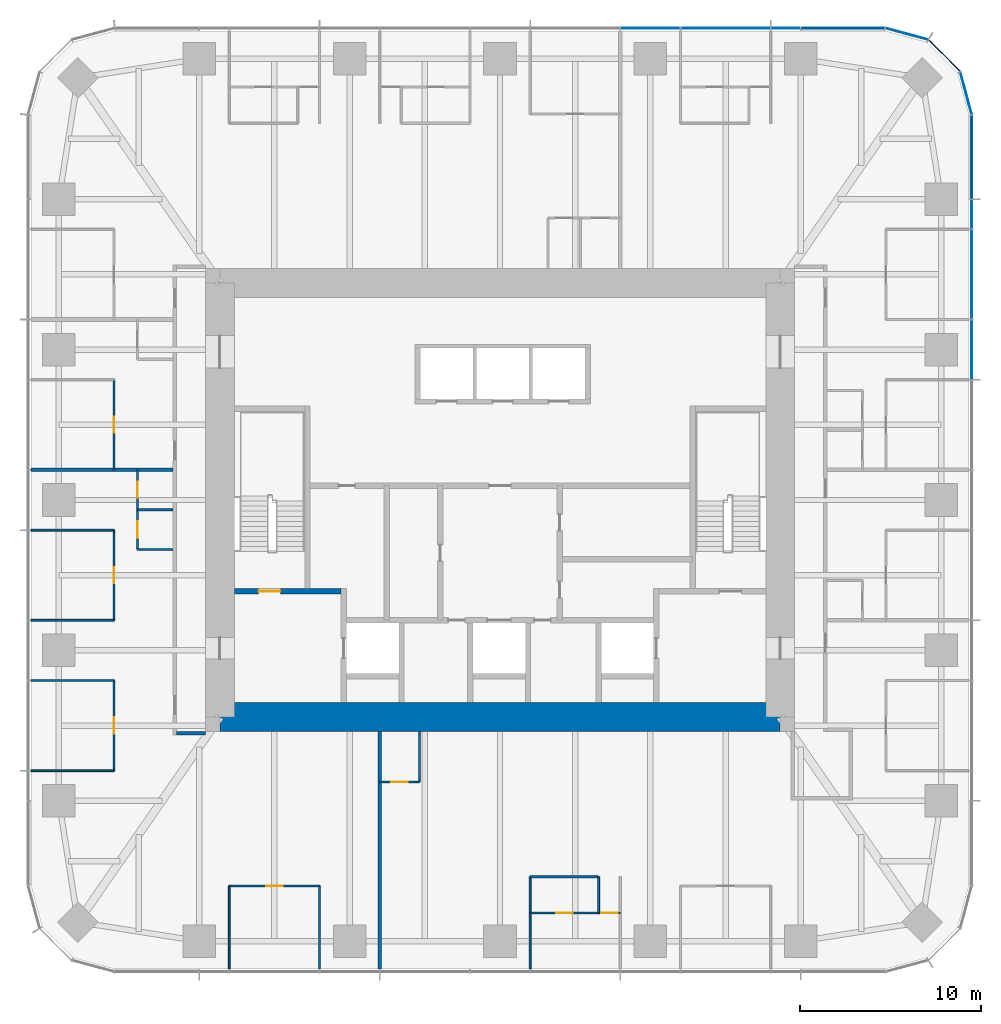
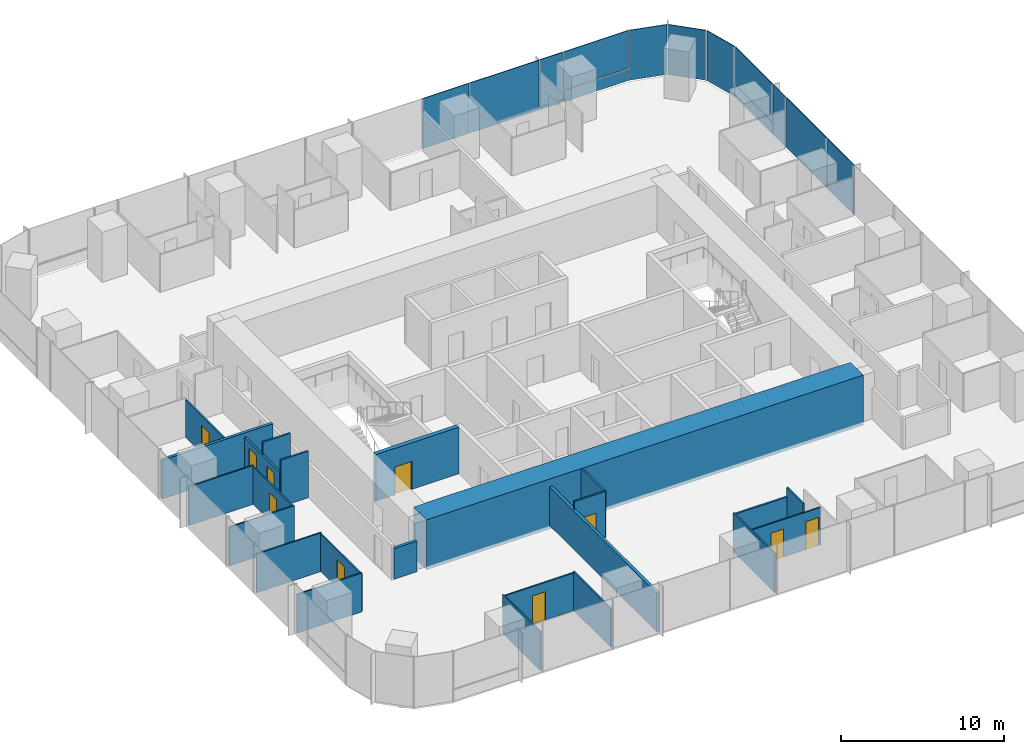
# One storey, part 8 of 12: 24 walls, 13 plates, 10 doors, 10 openings, 3 elements without a shape of their own.
"""IFC4 building model written with IfcOpenShell, lengths in metres."""

from ifc_helpers import new_model, si_unit, direction, frame, frame_2d, origin, origin_2d, place, context, subcontext, project, spatial, rectangle, extrude, material, layer, layer_set, type_object, element, fill, aggregate, save


model = new_model("IFC4")

# Units and contexts
model_context = context("Model", 3, precision=1e-05, world=origin(), true_north=direction((0.0, 1.0)))
body_context = subcontext(model_context, "Body", "Model", "MODEL_VIEW")
ifc_project = project(units=[si_unit("LENGTHUNIT", "METRE"), si_unit("AREAUNIT", "SQUARE_METRE"), si_unit("VOLUMEUNIT", "CUBIC_METRE"), si_unit("PLANEANGLEUNIT", "RADIAN"), si_unit("MASSUNIT", "GRAM", prefix="KILO")], contexts=[model_context])

# Site, building, storey
site_placement = place(None, origin())
site = spatial("IfcSite", under=ifc_project, at=site_placement, CompositionType="ELEMENT")
building_placement = place(site_placement, origin())
building = spatial("IfcBuilding", under=site, at=building_placement, Name="Khuree Lantern Residences", CompositionType="ELEMENT")
storey_placement = place(building_placement, frame((0.0, 0.0, 237.0)))
storey = spatial("IfcBuildingStorey", under=building, at=storey_placement, Name="L59", CompositionType="ELEMENT", Elevation=237.0)

# Curtain wall, plates
ifc_material_1 = material(Name="Bronze anodised aluminium", Category="aluminium")
curtain_wall_type_1 = type_object("IfcCurtainWallType", Name="CW-T2 TOWER CORNER CURTAIN WALL", PredefinedType="USERDEFINED", material=ifc_material_1)
curtain_wall_1_placement = place(storey_placement, origin())
curtain_wall_1 = element("IfcCurtainWall", 1, at=curtain_wall_1_placement, inside=storey, type_object=curtain_wall_type_1, Name="L59 NORTH-EAST CORNER CURTAIN WALL", ObjectType="Faceted corner curtain wall", PredefinedType="USERDEFINED")
ifc_material_2 = material(Name="Bronze tinted triple glazing", Category="glass")
ifc_layer_1 = layer(ifc_material_2, 0.048095703125)
ifc_layer_set_1 = layer_set([ifc_layer_1], Name="FACET PANEL P4")
plate_type_1 = type_object("IfcPlateType", Name="FACET PANEL P4", PredefinedType="CURTAIN_PANEL", material=ifc_layer_set_1)
plate_1_placement = place(storey_placement, frame((25.779052734375, 22.498046875, 0.0), z_axis=(0.0, 0.0, 1.0), x_axis=(-0.258819021888, 0.965925832509, 0.0)))
plate_1 = element("IfcPlate", 2, at=plate_1_placement, type_object=plate_type_1, Name="L59 NORTH-EAST CORNER PANEL 15.1", PredefinedType="CURTAIN_PANEL", context=body_context, shape_type="SweptSolid", body=[
    extrude(rectangle(XDim=2.40869140625, YDim=0.048095703125, at=origin_2d()), origin(), (0.0, 0.0, 1.0), 3.75),
])
plate_2_placement = place(storey_placement, frame((24.578369140625, 24.578369140625, 0.0), z_axis=(0.0, 0.0, 1.0), x_axis=(-0.707106781187, 0.707106781187, 0.0)))
plate_2 = element("IfcPlate", 3, at=plate_2_placement, type_object=plate_type_1, Name="L59 NORTH-EAST CORNER PANEL 16.1", PredefinedType="CURTAIN_PANEL", context=body_context, shape_type="SweptSolid", body=[
    extrude(rectangle(XDim=2.404541015625, YDim=0.048095703125, at=origin_2d()), origin(), (0.0, 0.0, 1.0), 3.75),
])
plate_3_placement = place(storey_placement, frame((22.498046875, 25.779052734375, 0.0), z_axis=(0.0, 0.0, 1.0), x_axis=(-0.965925832509, 0.258819021888, 0.0)))
plate_3 = element("IfcPlate", 4, at=plate_3_placement, type_object=plate_type_1, Name="L59 NORTH-EAST CORNER PANEL 17.1", PredefinedType="CURTAIN_PANEL", context=body_context, shape_type="SweptSolid", body=[
    extrude(rectangle(XDim=2.40869140625, YDim=0.048095703125, at=origin_2d()), origin(), (0.0, 0.0, 1.0), 3.75),
])
aggregate(curtain_wall_1, [plate_1, plate_2, plate_3])

# Curtain wall, plate
curtain_wall_type_2 = type_object("IfcCurtainWallType", Name="CW-T1 TOWER FACE CURTAIN WALL", PredefinedType="USERDEFINED", material=ifc_material_1)
curtain_wall_2_placement = place(storey_placement, origin())
curtain_wall_2 = element("IfcCurtainWall", 5, at=curtain_wall_2_placement, inside=storey, type_object=curtain_wall_type_2, Name="L59 EAST FACE CURTAIN WALL", ObjectType="Stick-built curtain wall", PredefinedType="USERDEFINED")
ifc_material_3 = material(Name="Bronze tinted triple glazing with a ceramic-fritted spandrel band", Category="glass")
ifc_layer_2 = layer(ifc_material_3, 0.048095703125)
ifc_layer_set_2 = layer_set([ifc_layer_2], Name="FIXED LIGHT PANEL P11")
plate_type_2 = type_object("IfcPlateType", Name="FIXED LIGHT PANEL P11", PredefinedType="CURTAIN_PANEL", material=ifc_layer_set_2)
plate_4_placement = place(storey_placement, frame((26.10009765625, 12.47998046875, 0.0), z_axis=(0.0, 0.0, 1.0), x_axis=(0.0, 1.0, 0.0)))
plate_4 = element("IfcPlate", 6, at=plate_4_placement, type_object=plate_type_2, Name="L59 EAST FACE PANEL 12.1", PredefinedType="CURTAIN_PANEL", context=body_context, shape_type="SweptSolid", body=[
    extrude(rectangle(XDim=4.927001953125, YDim=0.048095703125, at=origin_2d()), origin(), (0.0, 0.0, 1.0), 3.75),
])

curtain_wall_3_placement = place(storey_placement, origin())
curtain_wall_3 = element("IfcCurtainWall", 7, at=curtain_wall_3_placement, inside=storey, type_object=curtain_wall_type_2, Name="L59 NORTH FACE CURTAIN WALL", ObjectType="Stick-built curtain wall", PredefinedType="USERDEFINED")
plate_5_placement = place(storey_placement, frame((12.47998046875, 26.10009765625, 0.0), z_axis=(0.0, 0.0, 1.0), x_axis=(-1.0, 0.0, 0.0)))
plate_5 = element("IfcPlate", 8, at=plate_5_placement, type_object=plate_type_2, Name="L59 NORTH FACE PANEL 20.1", PredefinedType="CURTAIN_PANEL", context=body_context, shape_type="SweptSolid", body=[
    extrude(rectangle(XDim=4.927001953125, YDim=0.048095703125, at=origin_2d()), origin(), (0.0, 0.0, 1.0), 3.75),
])

# Plate
ifc_material_4 = material(Name="Bronze tinted triple glazing, two aluminium-framed sashes in one frame", Category="aluminium")
ifc_layer_3 = layer(ifc_material_4, 0.048095703125)
ifc_layer_set_3 = layer_set([ifc_layer_3], Name="SASH PAIR PANEL P12")
plate_type_3 = type_object("IfcPlateType", Name="SASH PAIR PANEL P12", PredefinedType="CURTAIN_PANEL", material=ifc_layer_set_3)
plate_6_placement = place(storey_placement, frame((26.10009765625, 8.320068359375, 0.0), z_axis=(0.0, 0.0, 1.0), x_axis=(0.0, 1.0, 0.0)))
plate_6 = element("IfcPlate", 9, at=plate_6_placement, type_object=plate_type_3, Name="L59 EAST FACE PANEL 11.1", PredefinedType="CURTAIN_PANEL", context=body_context, shape_type="SweptSolid", body=[
    extrude(rectangle(XDim=3.262939453125, YDim=0.048095703125, at=origin_2d()), origin(), (0.0, 0.0, 1.0), 3.75),
])

plate_7_placement = place(storey_placement, frame((8.320068359375, 26.10009765625, 0.0), z_axis=(0.0, 0.0, 1.0), x_axis=(-1.0, 0.0, 0.0)))
plate_7 = element("IfcPlate", 10, at=plate_7_placement, type_object=plate_type_3, Name="L59 NORTH FACE PANEL 21.1", PredefinedType="CURTAIN_PANEL", context=body_context, shape_type="SweptSolid", body=[
    extrude(rectangle(XDim=3.262939453125, YDim=0.048095703125, at=origin_2d()), origin(), (0.0, 0.0, 1.0), 3.75),
])

ifc_material_5 = material(Name="Bronze tinted triple glazing, aluminium-framed sash", Category="aluminium")
ifc_layer_4 = layer(ifc_material_5, 0.048095703125)
ifc_layer_set_4 = layer_set([ifc_layer_4], Name="SASH PANEL P3")
plate_type_4 = type_object("IfcPlateType", Name="SASH PANEL P3", PredefinedType="CURTAIN_PANEL", material=ifc_layer_set_4)
plate_8_placement = place(storey_placement, frame((26.10009765625, 15.80810546875, 0.0), z_axis=(0.0, 0.0, 1.0), x_axis=(0.0, 1.0, 0.0)))
plate_8 = element("IfcPlate", 11, at=plate_8_placement, type_object=plate_type_4, Name="L59 EAST FACE PANEL 13.1", PredefinedType="CURTAIN_PANEL", context=body_context, shape_type="SweptSolid", body=[
    extrude(rectangle(XDim=1.59912109375, YDim=0.048095703125, at=origin_2d()), origin(), (0.0, 0.0, 1.0), 3.75),
])

plate_9_placement = place(storey_placement, frame((15.80810546875, 26.10009765625, 0.0), z_axis=(0.0, 0.0, 1.0), x_axis=(-1.0, 0.0, 0.0)))
plate_9 = element("IfcPlate", 12, at=plate_9_placement, type_object=plate_type_4, Name="L59 NORTH FACE PANEL 19.1", PredefinedType="CURTAIN_PANEL", context=body_context, shape_type="SweptSolid", body=[
    extrude(rectangle(XDim=1.59912109375, YDim=0.048095703125, at=origin_2d()), origin(), (0.0, 0.0, 1.0), 3.75),
])

ifc_material_6 = material(Name="Bronze anodised aluminium insulated spandrel", Category="aluminium")
ifc_layer_5 = layer(ifc_material_6, 0.06005859375)
ifc_layer_set_5 = layer_set([ifc_layer_5], Name="SPANDREL PANEL P2")
plate_type_5 = type_object("IfcPlateType", Name="SPANDREL PANEL P2", PredefinedType="CURTAIN_PANEL", material=ifc_layer_set_5)
plate_10_placement = place(storey_placement, frame((26.10009765625, 18.9677734375, 0.0), z_axis=(0.0, 0.0, 1.0), x_axis=(0.0, 1.0, 0.0)))
plate_10 = element("IfcPlate", 13, at=plate_10_placement, type_object=plate_type_5, Name="L59 EAST FACE PANEL 14.1", PredefinedType="CURTAIN_PANEL", context=body_context, shape_type="SweptSolid", body=[
    extrude(rectangle(XDim=4.5908203125, YDim=0.06005859375, at=origin_2d()), origin(), (0.0, 0.0, 1.0), 0.867431640625),
])

plate_11_placement = place(storey_placement, frame((18.9677734375, 26.10009765625, 0.0), z_axis=(0.0, 0.0, 1.0), x_axis=(-1.0, 0.0, 0.0)))
plate_11 = element("IfcPlate", 14, at=plate_11_placement, type_object=plate_type_5, Name="L59 NORTH FACE PANEL 18.1", PredefinedType="CURTAIN_PANEL", context=body_context, shape_type="SweptSolid", body=[
    extrude(rectangle(XDim=4.5908203125, YDim=0.06005859375, at=origin_2d()), origin(), (0.0, 0.0, 1.0), 0.867431640625),
])

ifc_layer_6 = layer(ifc_material_2, 0.048095703125)
ifc_layer_set_6 = layer_set([ifc_layer_6], Name="VISION PANEL P1")
plate_type_6 = type_object("IfcPlateType", Name="VISION PANEL P1", PredefinedType="CURTAIN_PANEL", material=ifc_layer_set_6)
plate_12_placement = place(storey_placement, frame((26.10009765625, 18.96826171875, 0.9326171875), z_axis=(0.0, 0.0, 1.0), x_axis=(0.0, 1.0, 0.0)))
plate_12 = element("IfcPlate", 15, at=plate_12_placement, type_object=plate_type_6, Name="L59 EAST FACE PANEL 14.2", PredefinedType="CURTAIN_PANEL", context=body_context, shape_type="SweptSolid", body=[
    extrude(rectangle(XDim=4.591552734375, YDim=0.048095703125, at=origin_2d()), origin(), (0.0, 0.0, 1.0), 2.8173828125),
])

aggregate(curtain_wall_2, [plate_6, plate_4, plate_8, plate_10, plate_12])

plate_13_placement = place(storey_placement, frame((18.96826171875, 26.10009765625, 0.9326171875), z_axis=(0.0, 0.0, 1.0), x_axis=(-1.0, 0.0, 0.0)))
plate_13 = element("IfcPlate", 16, at=plate_13_placement, type_object=plate_type_6, Name="L59 NORTH FACE PANEL 18.2", PredefinedType="CURTAIN_PANEL", context=body_context, shape_type="SweptSolid", body=[
    extrude(rectangle(XDim=4.591552734375, YDim=0.048095703125, at=origin_2d()), origin(), (0.0, 0.0, 1.0), 2.8173828125),
])

aggregate(curtain_wall_3, [plate_11, plate_13, plate_9, plate_5, plate_7])

# Wall, openings, doors
ifc_material_7 = material(Name="Moisture-resistant gypsum board on steel studs", Category="steel")
ifc_layer_7 = layer(ifc_material_7, 0.125)
ifc_layer_set_7 = layer_set([ifc_layer_7], Name="BATHROOM WALL BTW125")
wall_type_1 = type_object("IfcWallType", Name="BATHROOM WALL BTW125", PredefinedType="PARTITIONING", material=ifc_layer_set_7)
wall_1_placement = place(storey_placement, frame((-20.050048828125, 1.6640625, 0.0), z_axis=(0.0, 0.0, 1.0), x_axis=(0.0, -1.0, 0.0)))
wall_1 = element("IfcWall", 17, at=wall_1_placement, inside=storey, type_object=wall_type_1, Name="L59 BATHROOM WALL 05", PredefinedType="PARTITIONING", context=body_context, shape_type="SweptSolid", body=[
    extrude(rectangle(XDim=4.400146484375, YDim=0.125, at=frame_2d((2.2001953125, 0.0))), origin(), (0.0, 0.0, 1.0), 2.60009765625),
])
opening_1_placement = place(wall_1_placement, frame((0.64990234375, 0.0, 0.0)))
opening_1 = element("IfcOpeningElement", 18, at=opening_1_placement, cuts=wall_1, Name="Opening 59-045", PredefinedType="OPENING", context=body_context, shape_type="SweptSolid", body=[
    extrude(rectangle(XDim=0.89990234375, YDim=2.10009765625, at=frame_2d((0.449951171875, 1.050048828125))), frame((0.0, 0.072509765625, 0.0), z_axis=(0.0, -1.0, 0.0), x_axis=(1.0, 0.0, 0.0)), (0.0, 0.0, 1.0), 0.14501953125),
])
opening_2_placement = place(wall_1_placement, frame((2.85009765625, 0.0, 0.0)))
opening_2 = element("IfcOpeningElement", 19, at=opening_2_placement, cuts=wall_1, Name="Opening 59-046", PredefinedType="OPENING", context=body_context, shape_type="SweptSolid", body=[
    extrude(rectangle(XDim=0.89990234375, YDim=2.10009765625, at=frame_2d((0.449951171875, 1.050048828125))), frame((0.0, 0.072509765625, 0.0), z_axis=(0.0, -1.0, 0.0), x_axis=(1.0, 0.0, 0.0)), (0.0, 0.0, 1.0), 0.14501953125),
])
ifc_material_8 = material(Name="Timber door leaf in hardwood frame", Category="wood")
door_type_1 = type_object("IfcDoorType", Name="BATHROOM DOOR 900X2100", OperationType="SINGLE_SWING_LEFT", PredefinedType="DOOR", material=ifc_material_8)
door_1_placement = place(opening_1_placement, origin())
door_1 = element("IfcDoor", 20, at=door_1_placement, inside=storey, type_object=door_type_1, Name="Bathroom door 59-045", OperationType="SINGLE_SWING_LEFT", OverallHeight=2.10009765625, OverallWidth=0.89990234375, PredefinedType="DOOR", context=body_context, shape_type="SweptSolid", body=[
    extrude(rectangle(XDim=0.89990234375, YDim=2.10009765625, at=frame_2d((0.449951171875, 1.050048828125))), frame((0.0, 0.02490234375, 0.0), z_axis=(0.0, -1.0, 0.0), x_axis=(1.0, 0.0, 0.0)), (0.0, 0.0, 1.0), 0.050048828125),
])
fill(opening_1, door_1)
door_2_placement = place(opening_2_placement, origin())
door_2 = element("IfcDoor", 21, at=door_2_placement, inside=storey, type_object=door_type_1, Name="Bathroom door 59-046", OperationType="SINGLE_SWING_LEFT", OverallHeight=2.10009765625, OverallWidth=0.89990234375, PredefinedType="DOOR", context=body_context, shape_type="SweptSolid", body=[
    extrude(rectangle(XDim=0.89990234375, YDim=2.10009765625, at=frame_2d((0.449951171875, 1.050048828125))), frame((0.0, 0.02490234375, 0.0), z_axis=(0.0, -1.0, 0.0), x_axis=(1.0, 0.0, 0.0)), (0.0, 0.0, 1.0), 0.050048828125),
])
fill(opening_2, door_2)

# Walls
for number, where, z_axis, x_axis, name in (
    (22, (-18.10009765625, -0.535888671875, 0.0), (0.0, 0.0, 1.0), (-1.0, 0.0, 0.0), "L59 BATHROOM WALL 05"),
    (23, (-18.10009765625, -2.736083984375, 0.0), (0.0, 0.0, 1.0), (-1.0, 0.0, 0.0), "L59 BATHROOM WALL 05"),
):
    element("IfcWall", number, at=place(storey_placement, frame(where, z_axis=z_axis, x_axis=x_axis)), inside=storey, type_object=wall_type_1, Name=name, PredefinedType="PARTITIONING", context=body_context, shape_type="SweptSolid", body=[
        extrude(rectangle(XDim=1.949951171875, YDim=0.125, at=frame_2d((0.97509765625, 0.0))), origin(), (0.0, 0.0, 1.0), 3.5),
    ])
wall_2_placement = place(storey_placement, frame((1.6640625, -20.844970703125, 0.0), z_axis=(0.0, 0.0, 1.0), x_axis=(1.0, 0.0, 0.0)))
element("IfcWall", 24, at=wall_2_placement, inside=storey, type_object=wall_type_1, Name="L59 BATHROOM WALL 06", PredefinedType="PARTITIONING", context=body_context, shape_type="SweptSolid", body=[
    extrude(rectangle(XDim=3.7919921875, YDim=0.125, at=frame_2d((1.89599609375, 0.0))), origin(), (0.0, 0.0, 1.0), 2.81005859375),
])

# Wall, opening, door
wall_3_placement = place(storey_placement, frame((-6.656005859375, -15.60009765625, 0.0), z_axis=(0.0, 0.0, 1.0), x_axis=(1.0, 0.0, 0.0)))
wall_3 = element("IfcWall", 25, at=wall_3_placement, inside=storey, type_object=wall_type_1, Name="L59 BATHROOM WALL 06", PredefinedType="PARTITIONING", context=body_context, shape_type="SweptSolid", body=[
    extrude(rectangle(XDim=2.199951171875, YDim=0.125, at=frame_2d((1.10009765625, 0.0))), origin(), (0.0, 0.0, 1.0), 3.5),
])
opening_3_placement = place(wall_3_placement, frame((0.64990234375, 0.0, 0.0)))
opening_3 = element("IfcOpeningElement", 26, at=opening_3_placement, cuts=wall_3, Name="Opening 59-052", PredefinedType="OPENING", context=body_context, shape_type="SweptSolid", body=[
    extrude(rectangle(XDim=0.89990234375, YDim=2.10009765625, at=frame_2d((0.449951171875, 1.050048828125))), frame((0.0, 0.072509765625, 0.0), z_axis=(0.0, -1.0, 0.0), x_axis=(1.0, 0.0, 0.0)), (0.0, 0.0, 1.0), 0.14501953125),
])
door_3_placement = place(opening_3_placement, origin())
door_3 = element("IfcDoor", 27, at=door_3_placement, inside=storey, type_object=door_type_1, Name="Bathroom door 59-052", OperationType="SINGLE_SWING_LEFT", OverallHeight=2.10009765625, OverallWidth=0.89990234375, PredefinedType="DOOR", context=body_context, shape_type="SweptSolid", body=[
    extrude(rectangle(XDim=0.89990234375, YDim=2.10009765625, at=frame_2d((0.449951171875, 1.050048828125))), frame((0.0, 0.02490234375, 0.0), z_axis=(0.0, -1.0, 0.0), x_axis=(1.0, 0.0, 0.0)), (0.0, 0.0, 1.0), 0.050048828125),
])
fill(opening_3, door_3)

# Walls
wall_4_placement = place(storey_placement, frame((-4.4560546875, -12.800048828125, 0.0), z_axis=(0.0, 0.0, 1.0), x_axis=(0.0, -1.0, 0.0)))
element("IfcWall", 28, at=wall_4_placement, inside=storey, type_object=wall_type_1, Name="L59 BATHROOM WALL 06", PredefinedType="PARTITIONING", context=body_context, shape_type="SweptSolid", body=[
    extrude(rectangle(XDim=2.800048828125, YDim=0.125, at=frame_2d((1.39990234375, 0.0))), origin(), (0.0, 0.0, 1.0), 3.5),
])
ifc_material_9 = material(Name="Gypsum board on steel studs", Category="steel")
ifc_layer_8 = layer(ifc_material_9, 0.199951171875)
ifc_layer_set_8 = layer_set([ifc_layer_8], Name="CORRIDOR WALL CRW200 EI 60")
wall_type_2 = type_object("IfcWallType", Name="CORRIDOR WALL CRW200 EI 60", PredefinedType="PARTITIONING", material=ifc_layer_set_8)
wall_5_placement = place(storey_placement, frame((-16.300048828125, -12.89990234375, 0.0), z_axis=(0.0, 0.0, 1.0), x_axis=(-1.0, 0.0, 0.0)))
element("IfcWall", 29, at=wall_5_placement, inside=storey, type_object=wall_type_2, Name="L59 WEST CORRIDOR SOUTH END WALL", PredefinedType="PARTITIONING", context=body_context, shape_type="SweptSolid", body=[
    extrude(rectangle(XDim=1.599853515625, YDim=0.199951171875, at=frame_2d((0.7998046875, 0.0))), origin(), (0.0, 0.0, 1.0), 2.300048828125),
])
ifc_material_10 = material(Name="Concrete C50/60", Category="concrete")
ifc_layer_9 = layer(ifc_material_10, 1.60009765625)
ifc_layer_set_9 = layer_set([ifc_layer_9], Name="CW1600-C50 CORE WALL C50 1600")
wall_type_3 = type_object("IfcWallType", Name="CW1600-C50 CORE WALL C50 1600", PredefinedType="SHEAR", material=ifc_layer_set_9)
wall_6_placement = place(storey_placement, frame((-15.5, -12.0, -0.25), z_axis=(0.0, 0.0, 1.0), x_axis=(1.0, 0.0, 0.0)))
element("IfcWall", 30, at=wall_6_placement, inside=storey, type_object=wall_type_3, Name="Core wall S", PredefinedType="SHEAR", context=body_context, shape_type="SweptSolid", body=[
    extrude(rectangle(XDim=31.0, YDim=1.60009765625, at=frame_2d((15.5, 0.0))), origin(), (0.0, 0.0, 1.0), 3.75),
])
ifc_layer_10 = layer(ifc_material_9, 0.199951171875)
ifc_layer_set_10 = layer_set([ifc_layer_10], Name="DEMISING WALL DMW200 EI 90")
wall_type_4 = type_object("IfcWallType", Name="DEMISING WALL DMW200 EI 90", PredefinedType="PARTITIONING", material=ifc_layer_set_10)
wall_7_placement = place(storey_placement, frame((-18.10009765625, 1.6640625, 0.0), z_axis=(0.0, 0.0, 1.0), x_axis=(-1.0, 0.0, 0.0)))
element("IfcWall", 31, at=wall_7_placement, inside=storey, type_object=wall_type_4, Name="L59 DEMISING WALL 05", PredefinedType="PARTITIONING", context=body_context, shape_type="SweptSolid", body=[
    extrude(rectangle(XDim=7.849853515625, YDim=0.199951171875, at=frame_2d((3.9248046875, 0.0))), origin(), (0.0, 0.0, 1.0), 2.909912109375),
])
wall_8_placement = place(storey_placement, frame((-6.656005859375, -12.800048828125, 0.0), z_axis=(0.0, 0.0, 1.0), x_axis=(0.0, -1.0, 0.0)))
element("IfcWall", 32, at=wall_8_placement, inside=storey, type_object=wall_type_4, Name="L59 DEMISING WALL 06", PredefinedType="PARTITIONING", context=body_context, shape_type="SweptSolid", body=[
    extrude(rectangle(XDim=13.14990234375, YDim=0.199951171875, at=frame_2d((6.574951171875, 0.0))), origin(), (0.0, 0.0, 1.0), 2.909912109375),
])
ifc_layer_11 = layer(ifc_material_9, 0.10009765625)
ifc_layer_set_11 = layer_set([ifc_layer_11], Name="PARTITION PT100")
wall_type_5 = type_object("IfcWallType", Name="PARTITION PT100", PredefinedType="PARTITIONING", material=ifc_layer_set_11)
for number, where, z_axis, x_axis, name in (
    (33, (-21.35009765625, -1.6640625, 0.0), (0.0, 0.0, 1.0), (-1.0, 0.0, 0.0), "L59 PARTITION 05"),
    (34, (-21.35009765625, -6.656005859375, 0.0), (0.0, 0.0, 1.0), (-1.0, 0.0, 0.0), "L59 PARTITION 05"),
    (35, (-21.35009765625, -9.98388671875, 0.0), (0.0, 0.0, 1.0), (-1.0, 0.0, 0.0), "L59 PARTITION 05"),
    (36, (-21.35009765625, -14.97607421875, 0.0), (0.0, 0.0, 1.0), (-1.0, 0.0, 0.0), "L59 PARTITION 05"),
    (37, (-14.97607421875, -21.35009765625, 0.0), (0.0, 0.0, 1.0), (0.0, -1.0, 0.0), "L59 PARTITION 05"),
    (38, (-9.98388671875, -21.35009765625, 0.0), (0.0, 0.0, 1.0), (0.0, -1.0, 0.0), "L59 PARTITION 05"),
):
    element("IfcWall", number, at=place(storey_placement, frame(where, z_axis=z_axis, x_axis=x_axis)), inside=storey, type_object=wall_type_5, Name=name, PredefinedType="PARTITIONING", context=body_context, shape_type="SweptSolid", body=[
        extrude(rectangle(XDim=4.599853515625, YDim=0.10009765625, at=frame_2d((2.2998046875, 0.0))), origin(), (0.0, 0.0, 1.0), 2.909912109375),
    ])
wall_9_placement = place(storey_placement, frame((1.6640625, -20.844970703125, 0.0), z_axis=(0.0, 0.0, 1.0), x_axis=(0.0, -1.0, 0.0)))
element("IfcWall", 39, at=wall_9_placement, inside=storey, type_object=wall_type_5, Name="L59 PARTITION 06", PredefinedType="PARTITIONING", context=body_context, shape_type="SweptSolid", body=[
    extrude(rectangle(XDim=5.10498046875, YDim=0.10009765625, at=frame_2d((2.552490234375, 0.0))), origin(), (0.0, 0.0, 1.0), 2.909912109375),
])

# Wall, opening, door
wall_10_placement = place(storey_placement, frame((-21.35009765625, 6.656005859375, 0.0), z_axis=(0.0, 0.0, 1.0), x_axis=(0.0, -1.0, 0.0)))
wall_10 = element("IfcWall", 40, at=wall_10_placement, inside=storey, type_object=wall_type_5, Name="L59 PARTITION 04", PredefinedType="PARTITIONING", context=body_context, shape_type="SweptSolid", body=[
    extrude(rectangle(XDim=4.991943359375, YDim=0.10009765625, at=frame_2d((2.49609375, 0.0))), origin(), (0.0, 0.0, 1.0), 2.81005859375),
])
opening_4_placement = place(wall_10_placement, frame((2.0458984375, 0.0, 0.0)))
opening_4 = element("IfcOpeningElement", 41, at=opening_4_placement, cuts=wall_10, Name="Opening 59-039", PredefinedType="OPENING", context=body_context, shape_type="SweptSolid", body=[
    extrude(rectangle(XDim=0.89990234375, YDim=2.10009765625, at=frame_2d((0.449951171875, 1.050048828125))), frame((0.0, 0.06005859375, 0.0), z_axis=(0.0, -1.0, 0.0), x_axis=(1.0, 0.0, 0.0)), (0.0, 0.0, 1.0), 0.1201171875),
])
door_type_2 = type_object("IfcDoorType", Name="BEDROOM DOOR 900X2100 RIGHT HAND", OperationType="SINGLE_SWING_RIGHT", PredefinedType="DOOR", material=ifc_material_8)
door_4_placement = place(opening_4_placement, origin())
door_4 = element("IfcDoor", 42, at=door_4_placement, inside=storey, type_object=door_type_2, Name="Bedroom door 59-039", OperationType="SINGLE_SWING_RIGHT", OverallHeight=2.10009765625, OverallWidth=0.89990234375, PredefinedType="DOOR", context=body_context, shape_type="SweptSolid", body=[
    extrude(rectangle(XDim=0.89990234375, YDim=2.10009765625, at=frame_2d((0.449951171875, 1.050048828125))), frame((0.0, 0.02490234375, 0.0), z_axis=(0.0, -1.0, 0.0), x_axis=(1.0, 0.0, 0.0)), (0.0, 0.0, 1.0), 0.050048828125),
])
fill(opening_4, door_4)

wall_11_placement = place(storey_placement, frame((-21.35009765625, -1.6640625, 0.0), z_axis=(0.0, 0.0, 1.0), x_axis=(0.0, -1.0, 0.0)))
wall_11 = element("IfcWall", 43, at=wall_11_placement, inside=storey, type_object=wall_type_5, Name="L59 PARTITION 05", PredefinedType="PARTITIONING", context=body_context, shape_type="SweptSolid", body=[
    extrude(rectangle(XDim=4.991943359375, YDim=0.10009765625, at=frame_2d((2.49609375, 0.0))), origin(), (0.0, 0.0, 1.0), 2.81005859375),
])
opening_5_placement = place(wall_11_placement, frame((2.0458984375, 0.0, 0.0)))
opening_5 = element("IfcOpeningElement", 44, at=opening_5_placement, cuts=wall_11, Name="Opening 59-042", PredefinedType="OPENING", context=body_context, shape_type="SweptSolid", body=[
    extrude(rectangle(XDim=0.89990234375, YDim=2.10009765625, at=frame_2d((0.449951171875, 1.050048828125))), frame((0.0, 0.06005859375, 0.0), z_axis=(0.0, -1.0, 0.0), x_axis=(1.0, 0.0, 0.0)), (0.0, 0.0, 1.0), 0.1201171875),
])
door_type_3 = type_object("IfcDoorType", Name="BEDROOM DOOR 900X2100", OperationType="SINGLE_SWING_LEFT", PredefinedType="DOOR", material=ifc_material_8)
door_5_placement = place(opening_5_placement, origin())
door_5 = element("IfcDoor", 45, at=door_5_placement, inside=storey, type_object=door_type_3, Name="Bedroom door 59-042", OperationType="SINGLE_SWING_LEFT", OverallHeight=2.10009765625, OverallWidth=0.89990234375, PredefinedType="DOOR", context=body_context, shape_type="SweptSolid", body=[
    extrude(rectangle(XDim=0.89990234375, YDim=2.10009765625, at=frame_2d((0.449951171875, 1.050048828125))), frame((0.0, 0.02490234375, 0.0), z_axis=(0.0, -1.0, 0.0), x_axis=(1.0, 0.0, 0.0)), (0.0, 0.0, 1.0), 0.050048828125),
])
fill(opening_5, door_5)

wall_12_placement = place(storey_placement, frame((-21.35009765625, -9.98388671875, 0.0), z_axis=(0.0, 0.0, 1.0), x_axis=(0.0, -1.0, 0.0)))
wall_12 = element("IfcWall", 46, at=wall_12_placement, inside=storey, type_object=wall_type_5, Name="L59 PARTITION 05", PredefinedType="PARTITIONING", context=body_context, shape_type="SweptSolid", body=[
    extrude(rectangle(XDim=4.9921875, YDim=0.10009765625, at=frame_2d((2.49609375, 0.0))), origin(), (0.0, 0.0, 1.0), 2.81005859375),
])
opening_6_placement = place(wall_12_placement, frame((2.0458984375, 0.0, 0.0)))
opening_6 = element("IfcOpeningElement", 47, at=opening_6_placement, cuts=wall_12, Name="Opening 59-043", PredefinedType="OPENING", context=body_context, shape_type="SweptSolid", body=[
    extrude(rectangle(XDim=0.89990234375, YDim=2.10009765625, at=frame_2d((0.449951171875, 1.050048828125))), frame((0.0, 0.06005859375, 0.0), z_axis=(0.0, -1.0, 0.0), x_axis=(1.0, 0.0, 0.0)), (0.0, 0.0, 1.0), 0.1201171875),
])
door_6_placement = place(opening_6_placement, origin())
door_6 = element("IfcDoor", 48, at=door_6_placement, inside=storey, type_object=door_type_3, Name="Bedroom door 59-043", OperationType="SINGLE_SWING_LEFT", OverallHeight=2.10009765625, OverallWidth=0.89990234375, PredefinedType="DOOR", context=body_context, shape_type="SweptSolid", body=[
    extrude(rectangle(XDim=0.89990234375, YDim=2.10009765625, at=frame_2d((0.449951171875, 1.050048828125))), frame((0.0, 0.02490234375, 0.0), z_axis=(0.0, -1.0, 0.0), x_axis=(1.0, 0.0, 0.0)), (0.0, 0.0, 1.0), 0.050048828125),
])
fill(opening_6, door_6)

wall_13_placement = place(storey_placement, frame((-14.97607421875, -21.35009765625, 0.0), z_axis=(0.0, 0.0, 1.0), x_axis=(1.0, 0.0, 0.0)))
wall_13 = element("IfcWall", 49, at=wall_13_placement, inside=storey, type_object=wall_type_5, Name="L59 PARTITION 05", PredefinedType="PARTITIONING", context=body_context, shape_type="SweptSolid", body=[
    extrude(rectangle(XDim=4.9921875, YDim=0.10009765625, at=frame_2d((2.49609375, 0.0))), origin(), (0.0, 0.0, 1.0), 2.81005859375),
])
opening_7_placement = place(wall_13_placement, frame((2.0458984375, 0.0, 0.0)))
opening_7 = element("IfcOpeningElement", 50, at=opening_7_placement, cuts=wall_13, Name="Opening 59-044", PredefinedType="OPENING", context=body_context, shape_type="SweptSolid", body=[
    extrude(rectangle(XDim=0.89990234375, YDim=2.10009765625, at=frame_2d((0.449951171875, 1.050048828125))), frame((0.0, 0.06005859375, 0.0), z_axis=(0.0, -1.0, 0.0), x_axis=(1.0, 0.0, 0.0)), (0.0, 0.0, 1.0), 0.1201171875),
])
door_7_placement = place(opening_7_placement, origin())
door_7 = element("IfcDoor", 51, at=door_7_placement, inside=storey, type_object=door_type_3, Name="Bedroom door 59-044", OperationType="SINGLE_SWING_LEFT", OverallHeight=2.10009765625, OverallWidth=0.89990234375, PredefinedType="DOOR", context=body_context, shape_type="SweptSolid", body=[
    extrude(rectangle(XDim=0.89990234375, YDim=2.10009765625, at=frame_2d((0.449951171875, 1.050048828125))), frame((0.0, 0.02490234375, 0.0), z_axis=(0.0, -1.0, 0.0), x_axis=(1.0, 0.0, 0.0)), (0.0, 0.0, 1.0), 0.050048828125),
])
fill(opening_7, door_7)

# Wall, openings, doors
wall_14_placement = place(storey_placement, frame((1.6640625, -22.844970703125, 0.0), z_axis=(0.0, 0.0, 1.0), x_axis=(1.0, 0.0, 0.0)))
wall_14 = element("IfcWall", 52, at=wall_14_placement, inside=storey, type_object=wall_type_5, Name="L59 PARTITION 06", PredefinedType="PARTITIONING", context=body_context, shape_type="SweptSolid", body=[
    extrude(rectangle(XDim=4.991943359375, YDim=0.10009765625, at=frame_2d((2.49609375, 0.0))), origin(), (0.0, 0.0, 1.0), 2.81005859375),
])
opening_8_placement = place(wall_14_placement, frame((3.94189453125, 0.0, 0.0)))
opening_8 = element("IfcOpeningElement", 53, at=opening_8_placement, cuts=wall_14, Name="Opening 59-048", PredefinedType="OPENING", context=body_context, shape_type="SweptSolid", body=[
    extrude(rectangle(XDim=0.89990234375, YDim=2.10009765625, at=frame_2d((0.449951171875, 1.050048828125))), frame((0.0, 0.06005859375, 0.0), z_axis=(0.0, -1.0, 0.0), x_axis=(1.0, 0.0, 0.0)), (0.0, 0.0, 1.0), 0.1201171875),
])
opening_9_placement = place(wall_14_placement, frame((1.446044921875, 0.0, 0.0)))
opening_9 = element("IfcOpeningElement", 54, at=opening_9_placement, cuts=wall_14, Name="Opening 59-049", PredefinedType="OPENING", context=body_context, shape_type="SweptSolid", body=[
    extrude(rectangle(XDim=0.89990234375, YDim=2.10009765625, at=frame_2d((0.449951171875, 1.050048828125))), frame((0.0, 0.06005859375, 0.0), z_axis=(0.0, -1.0, 0.0), x_axis=(1.0, 0.0, 0.0)), (0.0, 0.0, 1.0), 0.1201171875),
])
door_8_placement = place(opening_9_placement, origin())
door_8 = element("IfcDoor", 55, at=door_8_placement, inside=storey, type_object=door_type_1, Name="Bathroom door 59-049", OperationType="SINGLE_SWING_LEFT", OverallHeight=2.10009765625, OverallWidth=0.89990234375, PredefinedType="DOOR", context=body_context, shape_type="SweptSolid", body=[
    extrude(rectangle(XDim=0.89990234375, YDim=2.10009765625, at=frame_2d((0.449951171875, 1.050048828125))), frame((0.0, 0.02490234375, 0.0), z_axis=(0.0, -1.0, 0.0), x_axis=(1.0, 0.0, 0.0)), (0.0, 0.0, 1.0), 0.050048828125),
])
fill(opening_9, door_8)
door_9_placement = place(opening_8_placement, origin())
door_9 = element("IfcDoor", 56, at=door_9_placement, inside=storey, type_object=door_type_3, Name="Bedroom door 59-048", OperationType="SINGLE_SWING_LEFT", OverallHeight=2.10009765625, OverallWidth=0.89990234375, PredefinedType="DOOR", context=body_context, shape_type="SweptSolid", body=[
    extrude(rectangle(XDim=0.89990234375, YDim=2.10009765625, at=frame_2d((0.449951171875, 1.050048828125))), frame((0.0, 0.02490234375, 0.0), z_axis=(0.0, -1.0, 0.0), x_axis=(1.0, 0.0, 0.0)), (0.0, 0.0, 1.0), 0.050048828125),
])
fill(opening_8, door_9)

# Wall
wall_15_placement = place(storey_placement, frame((5.4560546875, -20.844970703125, 0.0), z_axis=(0.0, 0.0, 1.0), x_axis=(0.0, -1.0, 0.0)))
element("IfcWall", 57, at=wall_15_placement, inside=storey, type_object=wall_type_5, Name="L59 PARTITION 06", PredefinedType="PARTITIONING", context=body_context, shape_type="SweptSolid", body=[
    extrude(rectangle(XDim=2.0, YDim=0.10009765625, at=frame_2d((1.0, 0.0))), origin(), (0.0, 0.0, 1.0), 3.5),
])

# Wall, opening, door
ifc_layer_12 = layer(ifc_material_10, 0.300048828125)
ifc_layer_set_12 = layer_set([ifc_layer_12], Name="STAIR WALL SRW300 C50/60 REI 240")
wall_type_6 = type_object("IfcWallType", Name="STAIR WALL SRW300 C50/60 REI 240", PredefinedType="SOLIDWALL", material=ifc_layer_set_12)
wall_16_placement = place(storey_placement, frame((-14.699951171875, -5.050048828125, 0.0), z_axis=(0.0, 0.0, 1.0), x_axis=(1.0, 0.0, 0.0)))
wall_16 = element("IfcWall", 58, at=wall_16_placement, inside=storey, type_object=wall_type_6, Name="L59 STAIR WALL ST1S", PredefinedType="SOLIDWALL", context=body_context, shape_type="SweptSolid", body=[
    extrude(rectangle(XDim=5.89990234375, YDim=0.300048828125, at=frame_2d((2.949951171875, 0.0))), origin(), (0.0, 0.0, 1.0), 3.5),
])
opening_10_placement = place(wall_16_placement, frame((1.35009765625, 0.0, 0.0)))
opening_10 = element("IfcOpeningElement", 59, at=opening_10_placement, cuts=wall_16, Name="Opening 59-001", PredefinedType="OPENING", context=body_context, shape_type="SweptSolid", body=[
    extrude(rectangle(XDim=1.199951171875, YDim=2.10009765625, at=frame_2d((0.60009765625, 1.050048828125))), frame((0.0, 0.16015625, 0.0), z_axis=(0.0, -1.0, 0.0), x_axis=(1.0, 0.0, 0.0)), (0.0, 0.0, 1.0), 0.320068359375),
])
ifc_material_11 = material(Name="Steel door leaf in steel frame", Category="steel")
door_type_4 = type_object("IfcDoorType", Name="STAIR DOOR 1200X2100 EI 120", OperationType="SINGLE_SWING_LEFT", PredefinedType="DOOR", material=ifc_material_11)
door_10_placement = place(opening_10_placement, origin())
door_10 = element("IfcDoor", 60, at=door_10_placement, inside=storey, type_object=door_type_4, Name="Stair ST1 door 59-001", OperationType="SINGLE_SWING_LEFT", OverallHeight=2.10009765625, OverallWidth=1.199951171875, PredefinedType="DOOR", context=body_context, shape_type="SweptSolid", body=[
    extrude(rectangle(XDim=1.199951171875, YDim=2.10009765625, at=frame_2d((0.60009765625, 1.050048828125))), frame((0.0, 0.02490234375, 0.0), z_axis=(0.0, -1.0, 0.0), x_axis=(1.0, 0.0, 0.0)), (0.0, 0.0, 1.0), 0.050048828125),
])
fill(opening_10, door_10)

save(model, "model.ifc")
